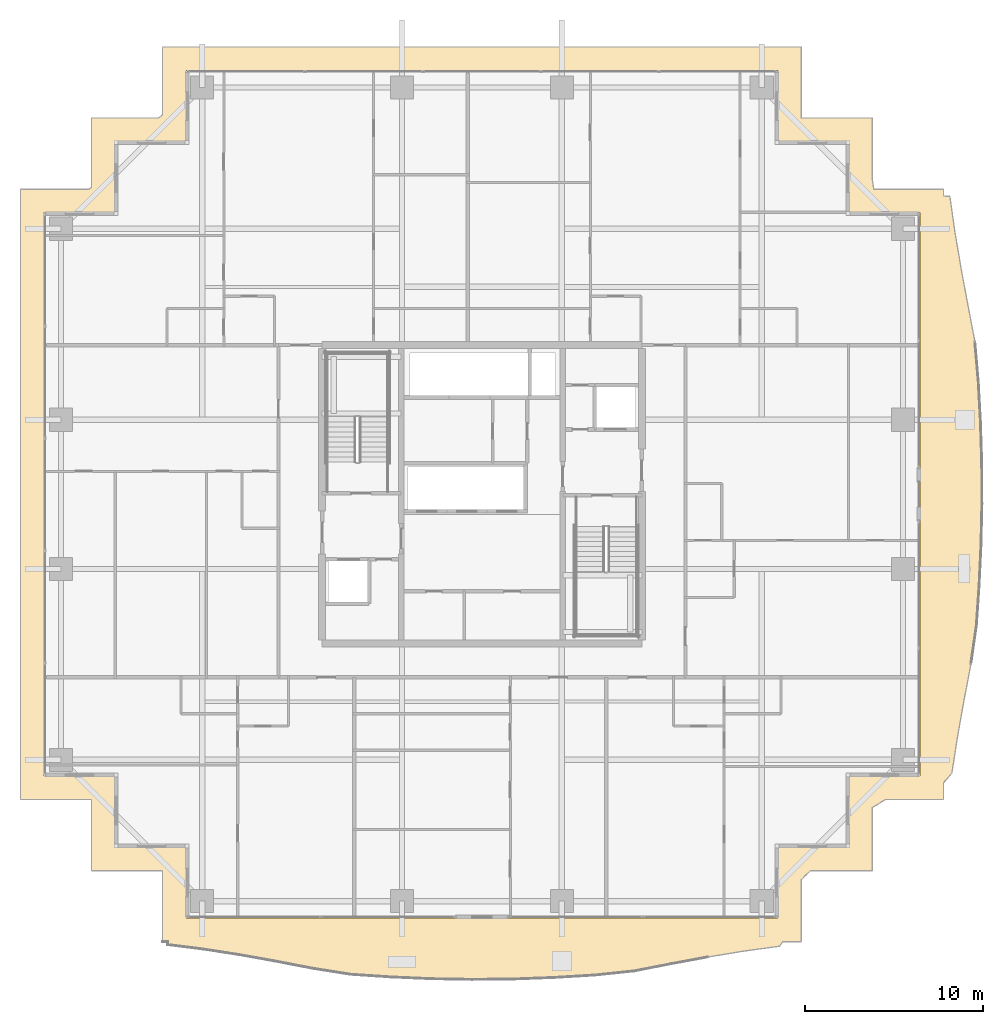
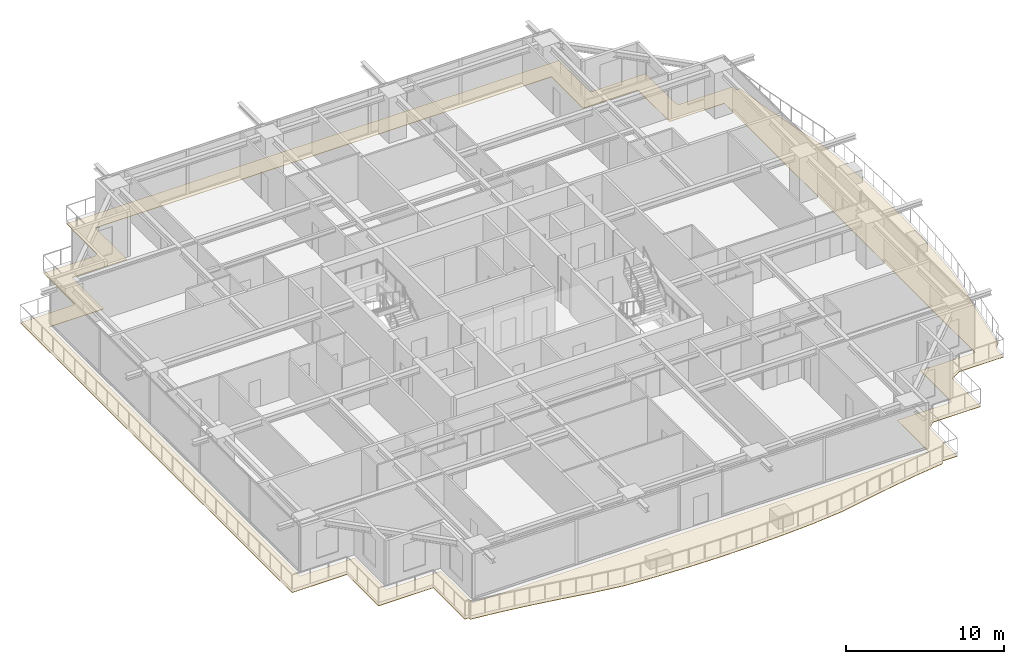
# One storey, part 35 of 37: 1 covering.
"""IFC4 building model written with IfcOpenShell, lengths in metres."""

from ifc_helpers import new_model, si_unit, direction, frame, origin, place, context, subcontext, project, spatial, polyline, outline, extrude, material, layer, layer_set, type_object, element, save


model = new_model("IFC4")

# Units and contexts
model_context = context("Model", 3, precision=1e-05, world=origin(), true_north=direction((0.0, 1.0)))
body_context = subcontext(model_context, "Body", "Model", "MODEL_VIEW")
ifc_project = project(units=[si_unit("LENGTHUNIT", "METRE"), si_unit("AREAUNIT", "SQUARE_METRE"), si_unit("VOLUMEUNIT", "CUBIC_METRE"), si_unit("PLANEANGLEUNIT", "RADIAN"), si_unit("MASSUNIT", "GRAM", prefix="KILO")], contexts=[model_context])

# Site, building, storey
site_placement = place(None, origin())
site = spatial("IfcSite", under=ifc_project, at=site_placement, CompositionType="ELEMENT")
building_placement = place(site_placement, origin())
building = spatial("IfcBuilding", under=site, at=building_placement, Name="Serunith Strait Residences", CompositionType="ELEMENT")
storey_placement = place(building_placement, frame((0.0, 0.0, 161.39990234375)))
storey = spatial("IfcBuildingStorey", under=building, at=storey_placement, Name="L40", CompositionType="ELEMENT", Elevation=161.39990234375)

# Covering
ifc_material = material(Name="Golden Teak Exterior Timber Boarding", Category="wood")
ifc_layer = layer(ifc_material, 0.034912109375, Name="Golden Teak Exterior Timber Boarding")
ifc_layer_set = layer_set([ifc_layer], Name="Golden Teak Exterior Timber Boarding")
covering_type = type_object("IfcCoveringType", Name="COV-TEAK-SOFFIT", PredefinedType="CEILING", material=ifc_layer_set)
covering_placement = place(storey_placement, frame((0.0, 0.0, -0.324951171875)))
element("IfcCovering", 1, at=covering_placement, inside=storey, type_object=covering_type, Name="L40 Golden-Teak Balcony Soffit Lining", PredefinedType="CEILING", context=body_context, shape_type="SweptSolid", body=[
    extrude(outline(polyline([(14.419921875, 0.02001953125), (14.419921875, 4.02001953125), (10.419921875, 4.02001953125), (10.419921875, 8.02001953125), (6.419921875, 8.02001953125), (6.419921875, 42.3798828125), (10.284912109375, 42.3798828125), (10.419921875, 42.47802734375), (10.419921875, 46.3798828125), (14.1982421875, 46.3798828125), (14.419921875, 46.55908203125), (14.419921875, 50.3798828125), (50.3798828125, 50.3798828125), (50.3798828125, 46.3798828125), (54.3798828125, 46.3798828125), (54.3798828125, 42.889892578125), (54.45654296875, 42.3798828125), (58.3798828125, 42.3798828125), (58.3798828125, 41.99365234375), (58.737548828125, 41.973388671875), (59.022705078125, 39.972412109375), (59.362548828125, 37.95068359375), (59.747314453125, 35.890625), (60.152587890625, 33.77392578125), (60.347900390625, 31.543212890625), (60.471923828125, 29.27001953125), (60.54248046875, 26.97314453125), (60.552734375, 24.666015625), (60.501708984375, 22.36328125), (60.394287109375, 20.0791015625), (60.240966796875, 17.82470703125), (59.9267578125, 15.6513671875), (59.527587890625, 13.56591796875), (59.164306640625, 11.527587890625), (58.853271484375, 9.51806640625), (58.3798828125, 8.964111328125), (58.3798828125, 8.02001953125), (55.121826171875, 8.02001953125), (54.3798828125, 7.57666015625), (54.3798828125, 4.02001953125), (50.898193359375, 4.02001953125), (50.3798828125, 3.523681640625), (50.3798828125, 0.02001953125), (49.331787109375, 0.02001953125), (49.1455078125, -0.239013671875), (47.146484375, -0.511962890625), (45.1298828125, -0.843505859375), (43.07763671875, -1.225830078125), (40.9697265625, -1.63720703125), (38.75048828125, -1.869873046875), (36.477294921875, -2.007080078125), (34.177490234375, -2.092041015625), (31.864501953125, -2.11572265625), (29.553955078125, -2.075927734375), (27.26171875, -1.976318359375), (24.999755859375, -1.826904296875), (22.8330078125, -1.4833984375), (20.75048828125, -1.080322265625), (18.7158203125, -0.716552734375), (16.708984375, -0.407958984375), (14.713623046875, -0.157470703125), (14.715087890625, 0.02001953125), (14.419921875, 0.02001953125)]), holes=[polyline([(49.054931640625, 1.344970703125), (49.054931640625, 5.344970703125), (53.054931640625, 5.344970703125), (53.054931640625, 9.344970703125), (57.054931640625, 9.344970703125), (57.054931640625, 41.054931640625), (53.054931640625, 41.054931640625), (53.054931640625, 45.054931640625), (49.054931640625, 45.054931640625), (49.054931640625, 49.054931640625), (15.7451171875, 49.054931640625), (15.7451171875, 45.054931640625), (11.7451171875, 45.054931640625), (11.7451171875, 41.054931640625), (7.7451171875, 41.054931640625), (7.7451171875, 9.344970703125), (11.7451171875, 9.344970703125), (11.7451171875, 5.344970703125), (15.7451171875, 5.344970703125), (15.7451171875, 1.344970703125), (49.054931640625, 1.344970703125)])]), origin(), (0.0, 0.0, 1.0), 0.03515625),
])

save(model, "model.ifc")
